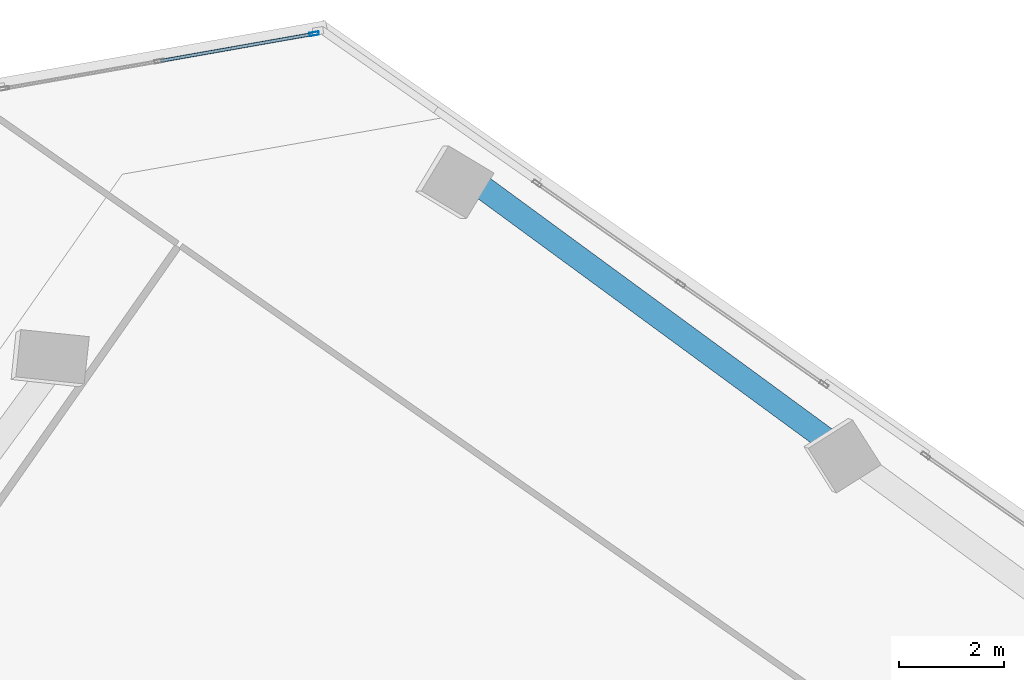
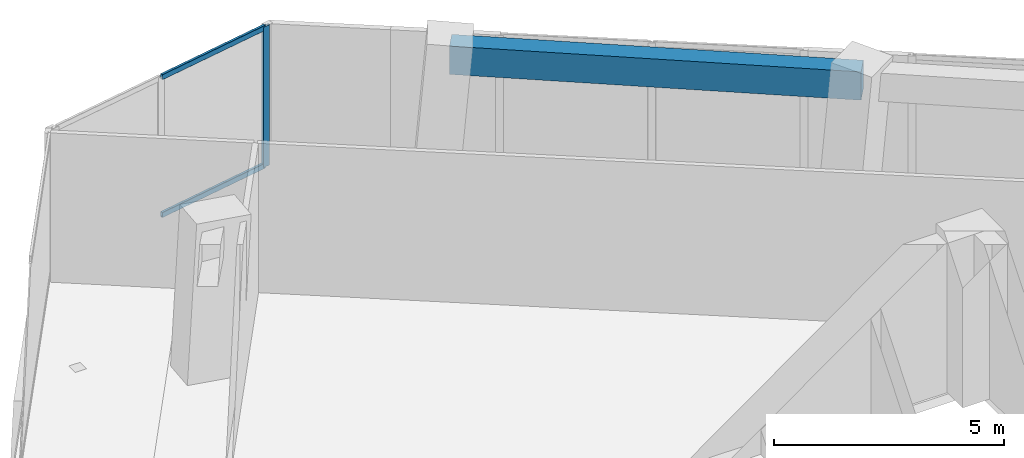
# One storey, part 14 of 22: 3 members, 1 beam, 1 element without a shape of its own.
"""IFC4 building model written with IfcOpenShell, lengths in metres."""

from ifc_helpers import new_model, si_unit, direction, frame, origin, origin_2d, place, context, subcontext, project, spatial, rectangle, hollow_rectangle, extrude, source, transform, mapped, material, material_profile, profile_set, type_object, element, aggregate, save


model = new_model("IFC4")

# Units and contexts
model_context = context("Model", 3, precision=1e-05, world=origin(), true_north=direction((0.0, 1.0)))
body_context = subcontext(model_context, "Body", "Model", "MODEL_VIEW")
ifc_project = project(units=[si_unit("LENGTHUNIT", "METRE"), si_unit("AREAUNIT", "SQUARE_METRE"), si_unit("VOLUMEUNIT", "CUBIC_METRE"), si_unit("PLANEANGLEUNIT", "RADIAN"), si_unit("MASSUNIT", "GRAM", prefix="KILO")], contexts=[model_context])

# Site, building, storey
site_placement = place(None, origin())
site = spatial("IfcSite", under=ifc_project, at=site_placement, CompositionType="ELEMENT")
building_placement = place(site_placement, origin())
building = spatial("IfcBuilding", under=site, at=building_placement, Name="Torre Montelarca", CompositionType="ELEMENT")
storey_placement = place(building_placement, frame((0.0, 0.0, 196.0)))
storey = spatial("IfcBuildingStorey", under=building, at=storey_placement, Name="L44", CompositionType="ELEMENT", Elevation=196.0)

# Beam
ifc_material_1 = material(Name="Concrete C55/67", Category="concrete")
ifc_material_profile_1 = material_profile(ifc_material_1, rectangle(XDim=0.449951171875, YDim=0.75, at=origin_2d()), Name="RCB450X750", Category="concrete")
ifc_profile_set_1 = profile_set([ifc_material_profile_1], Name="Concrete C55/67")
beam_type = type_object("IfcBeamType", Name="BM-SP-RC750-EXT", PredefinedType="SPANDREL", material=ifc_profile_set_1)
shared_shape_1 = source(origin(), body_context, "Body", "SweptSolid", [
    extrude(rectangle(XDim=0.449951171875, YDim=0.75, at=origin_2d()), origin(), (0.0, 0.0, 1.0), 9.0),
])
beam_placement = place(storey_placement, frame((20.377685546875, 51.60888671875, 3.5849609375), z_axis=(0.806447251738, -0.591306037653, 0.0), x_axis=(0.591306037653, 0.806447251738, 0.0)))
element("IfcBeam", 1, at=beam_placement, inside=storey, type_object=beam_type, Name="L44 Grid Girder X 9.0-18.0 at Y=47.1", PredefinedType="SPANDREL", context=body_context, shape_type="MappedRepresentation", body=[
    mapped(shared_shape_1, transform((0.0, 0.0, 0.0), scale=1.0)),
])

# Curtain wall, members
ifc_material_2 = material(Name="Insulated low-E laminated glass", Category="glass")
curtain_wall_type = type_object("IfcCurtainWallType", Name="CW-SYS-Z2", PredefinedType="USERDEFINED", material=ifc_material_2)
curtain_wall_placement = place(storey_placement, origin())
curtain_wall = element("IfcCurtainWall", 2, at=curtain_wall_placement, inside=storey, type_object=curtain_wall_type, Name="L44 Curtain Wall Run CW-T3-L44-E09-B1", ObjectType="UNITISED GLAZING", PredefinedType="USERDEFINED")
ifc_material_3 = material(Name="Anodised aluminium AA 6063-T6", Category="aluminium")
ifc_material_profile_2 = material_profile(ifc_material_3, hollow_rectangle(XDim=0.06494140625, YDim=0.139892578125, WallThickness=0.00390625, InnerFilletRadius=0.00390625, OuterFilletRadius=0.008056640625, at=origin_2d()), Name="ALU65X140X4", Category="aluminium")
ifc_profile_set_2 = profile_set([ifc_material_profile_2], Name="Anodised aluminium AA 6063-T6")
member_type_1 = type_object("IfcMemberType", Name="CWT-ALU140", PredefinedType="USERDEFINED", material=ifc_profile_set_2)
shared_shape_2 = source(origin(), body_context, "Body", "SweptSolid", [
    extrude(hollow_rectangle(XDim=0.06494140625, YDim=0.139892578125, WallThickness=0.00390625, InnerFilletRadius=0.00390625, OuterFilletRadius=0.008056640625, at=origin_2d()), origin(), (0.0, 0.0, 1.0), 2.918701171875),
])
member_1_placement = place(storey_placement, frame((17.31689453125, 54.39404296875, 0.032470703125), z_axis=(-0.984806287351, -0.173656489641, 0.0), x_axis=(0.173656489641, -0.984806287351, 0.0)))
member_1 = element("IfcMember", 3, at=member_1_placement, type_object=member_type_1, Name="CW transom 1.1", ObjectType="TRANSOM", PredefinedType="USERDEFINED", context=body_context, shape_type="MappedRepresentation", body=[
    mapped(shared_shape_2, transform((0.0, 0.0, 0.0), scale=1.0)),
])
member_2_placement = place(storey_placement, frame((17.31689453125, 54.39404296875, 3.6875), z_axis=(-0.984806287351, -0.173656489641, 0.0), x_axis=(0.173656489641, -0.984806287351, 0.0)))
member_2 = element("IfcMember", 4, at=member_2_placement, type_object=member_type_1, Name="CW transom 1.2", ObjectType="TRANSOM", PredefinedType="USERDEFINED", context=body_context, shape_type="MappedRepresentation", body=[
    mapped(shared_shape_2, transform((0.0, 0.0, 0.0), scale=1.0)),
])
ifc_material_profile_3 = material_profile(ifc_material_3, hollow_rectangle(XDim=0.06494140625, YDim=0.179931640625, WallThickness=0.00390625, InnerFilletRadius=0.00390625, OuterFilletRadius=0.008056640625, at=origin_2d()), Name="ALU65X180X4", Category="aluminium")
ifc_profile_set_3 = profile_set([ifc_material_profile_3], Name="Anodised aluminium AA 6063-T6")
member_type_2 = type_object("IfcMemberType", Name="CWM-ALU180", PredefinedType="MULLION", material=ifc_profile_set_3)
shared_shape_3 = source(origin(), body_context, "Body", "SweptSolid", [
    extrude(hollow_rectangle(XDim=0.06494140625, YDim=0.179931640625, WallThickness=0.00390625, InnerFilletRadius=0.00390625, OuterFilletRadius=0.008056640625, at=origin_2d()), origin(), (0.0, 0.0, 1.0), 3.719970703125),
])
member_3_placement = place(storey_placement, frame((17.348876953125, 54.399658203125, 0.0), z_axis=(0.0, 0.0, 1.0), x_axis=(0.173634019333, -0.984810249404, 0.0)))
member_3 = element("IfcMember", 5, at=member_3_placement, type_object=member_type_2, Name="CW mullion 1", PredefinedType="MULLION", context=body_context, shape_type="MappedRepresentation", body=[
    mapped(shared_shape_3, transform((0.0, 0.0, 0.0), scale=1.0)),
])
aggregate(curtain_wall, [member_3, member_1, member_2])

save(model, "model.ifc")
